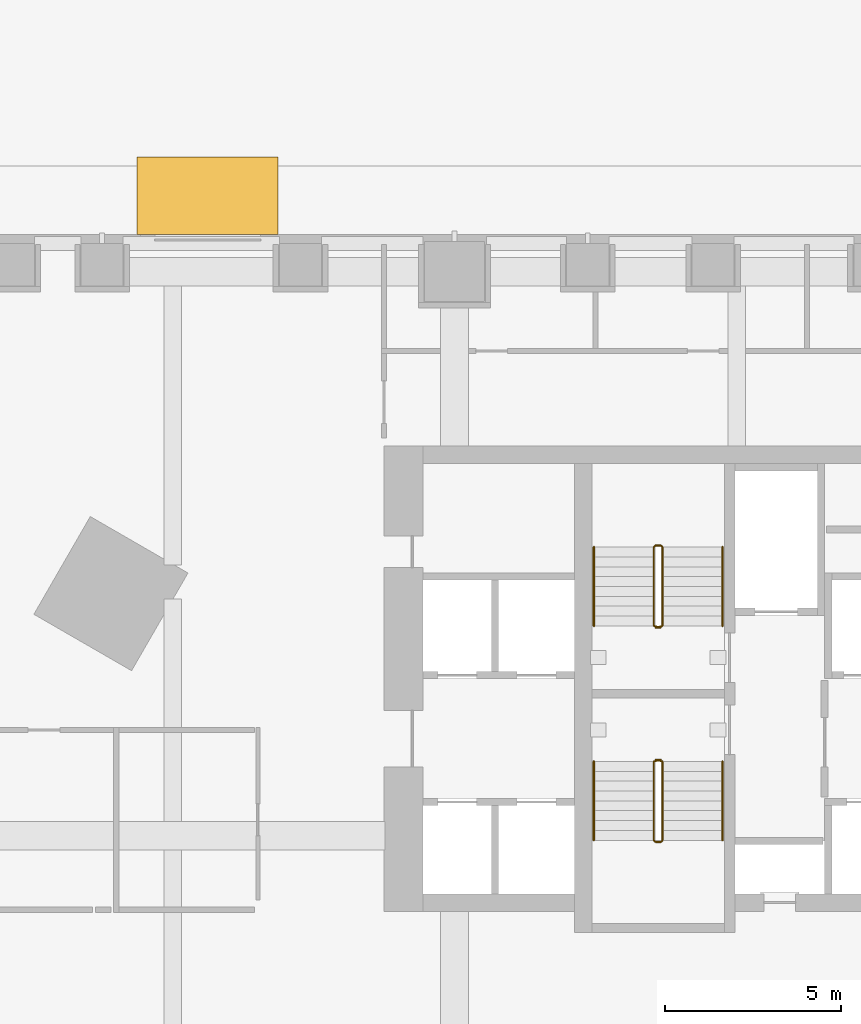
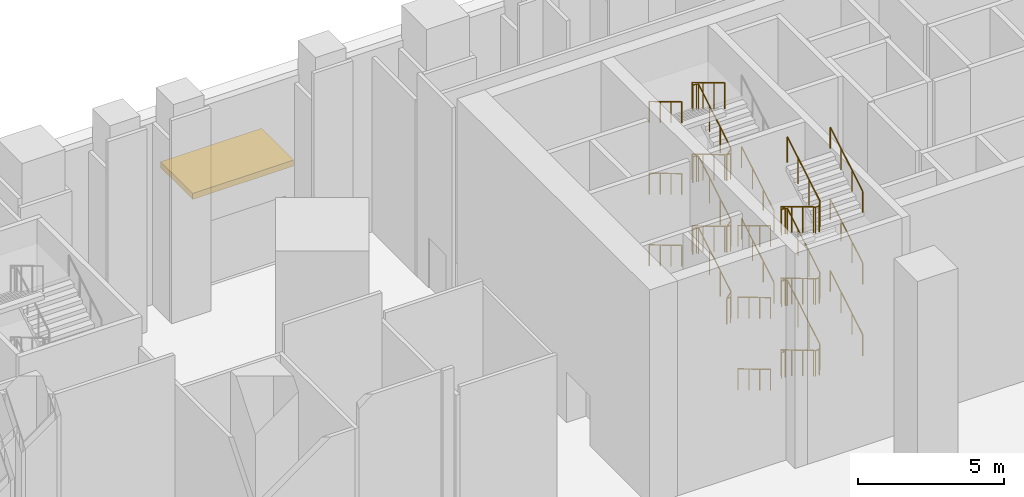
# One storey, part 46 of 51: 13 railings, 1 shading device.
"""IFC4 building model written with IfcOpenShell, lengths in metres."""

from ifc_helpers import new_model, si_unit, direction, frame, origin, origin_2d, place, context, subcontext, project, spatial, rectangle, circle, extrude, material, layer, layer_set, type_object, element, save


model = new_model("IFC4")

# Units and contexts
model_context = context("Model", 3, precision=1e-05, world=origin(), true_north=direction((0.0, 1.0)))
body_context = subcontext(model_context, "Body", "Model", "MODEL_VIEW")
ifc_project = project(units=[si_unit("LENGTHUNIT", "METRE"), si_unit("AREAUNIT", "SQUARE_METRE"), si_unit("VOLUMEUNIT", "CUBIC_METRE"), si_unit("PLANEANGLEUNIT", "RADIAN"), si_unit("MASSUNIT", "GRAM", prefix="KILO")], contexts=[model_context])

# Site, building, storey
site_placement = place(None, origin())
site = spatial("IfcSite", under=ifc_project, at=site_placement, CompositionType="ELEMENT")
building_placement = place(site_placement, origin())
building = spatial("IfcBuilding", under=site, at=building_placement, Name="Calabash Gate Tower", CompositionType="ELEMENT")
storey_placement = place(building_placement, origin())
storey = spatial("IfcBuildingStorey", under=building, at=storey_placement, Name="L00", CompositionType="ELEMENT", Elevation=0.0)

# Shading device
ifc_material_1 = material(Name="Steel framed canopy with laminated glass", Category="steel")
ifc_layer = layer(ifc_material_1, 0.25)
ifc_layer_set = layer_set([ifc_layer], Name="Entrance canopy 250")
shading_device_type = type_object("IfcShadingDeviceType", Name="Entrance canopy 250", PredefinedType="AWNING", material=ifc_layer_set)
shading_device_placement = place(storey_placement, frame((-23.00390625, 26.14990234375, 3.60009765625), z_axis=(0.0, 0.0, 1.0), x_axis=(-1.0, 0.0, 0.0)))
element("IfcShadingDevice", 1, at=shading_device_placement, inside=storey, type_object=shading_device_type, Name="Entrance canopy 18", PredefinedType="AWNING", context=body_context, shape_type="SweptSolid", body=[
    extrude(rectangle(XDim=4.0, YDim=2.199951171875, at=origin_2d()), origin(), (0.0, 0.0, 1.0), 0.25),
])

# Railings
ifc_material_2 = material(Name="Black powder-coated steel balusters", Category="steel")
railing_type_1 = type_object("IfcRailingType", Name="Stair guard RL1100", PredefinedType="GUARDRAIL", material=ifc_material_2)
railing_1_placement = place(storey_placement, frame((-10.14990234375, 13.902587890625, 0.0)))
element("IfcRailing", 2, at=railing_1_placement, inside=storey, type_object=railing_type_1, Name="L00 ST1 stair guard 1", PredefinedType="GUARDRAIL", context=body_context, shape_type="SweptSolid", body=[
    extrude(circle(Radius=0.02392578125, at=origin_2d()), frame((0.0, 0.0, 1.076171875), z_axis=(-1.0, 0.0, 0.0), x_axis=(0.0, -1.0, 0.0)), (0.0, 0.0, 1.0), 0.150146484375),
    extrude(circle(Radius=0.02392578125, at=origin_2d()), frame((-0.150146484375, 0.0, 1.076171875), z_axis=(0.754182335027, 0.188775798145, 0.628945707965), x_axis=(-0.242814311512, 0.970072785993, 0.0)), (0.0, 0.0, 1.0), 0.26513671875),
    extrude(circle(Radius=0.02392578125, at=origin_2d()), frame((0.0498046875, 0.050048828125, 1.24267578125), z_axis=(0.0, 0.858493888361, 0.512823793955), x_axis=(-1.0, 0.0, 0.0)), (0.0, 0.0, 1.0), 2.599853515625),
    extrude(circle(Radius=0.02392578125, at=origin_2d()), frame((0.0498046875, 2.281982421875, 2.576171875), z_axis=(-0.705375805398, 0.708833529934, 0.0), x_axis=(-0.708833529934, -0.705375805398, 0.0)), (0.0, 0.0, 1.0), 0.070556640625),
    extrude(circle(Radius=0.02392578125, at=origin_2d()), frame((0.0, 2.33203125, 2.576171875), z_axis=(-1.0, 0.0, 0.0), x_axis=(0.0, -1.0, 0.0)), (0.0, 0.0, 1.0), 0.150146484375),
    extrude(circle(Radius=0.02392578125, at=origin_2d()), frame((-0.150146484375, 2.33203125, 2.576171875), z_axis=(-0.27628659633, -0.27628659633, 0.920506074601), x_axis=(0.707106781187, -0.707106781187, 0.0)), (0.0, 0.0, 1.0), 0.18115234375),
    extrude(circle(Radius=0.02392578125, at=origin_2d()), frame((-0.2001953125, 2.281982421875, 2.74267578125), z_axis=(0.0, -0.858493888361, 0.512823793955), x_axis=(1.0, 0.0, 0.0)), (0.0, 0.0, 1.0), 2.599853515625),
    extrude(circle(Radius=0.02392578125, at=origin_2d()), frame((-0.2001953125, 0.050048828125, 4.076171875), z_axis=(0.970142500145, -0.242535625036, 0.0), x_axis=(0.242535625036, 0.970142500145, 0.0)), (0.0, 0.0, 1.0), 0.206298828125),
    extrude(circle(Radius=0.02392578125, at=origin_2d()), frame((0.0, 0.0, 4.076171875), z_axis=(-1.0, 0.0, 0.0), x_axis=(0.0, -1.0, 0.0)), (0.0, 0.0, 1.0), 0.150146484375),
    extrude(circle(Radius=0.02392578125, at=origin_2d()), frame((-0.150146484375, 0.0, 4.076171875), z_axis=(0.754182335027, 0.188775798145, 0.628945707965), x_axis=(-0.242814311512, 0.970072785993, 0.0)), (0.0, 0.0, 1.0), 0.26513671875),
    extrude(circle(Radius=0.02392578125, at=origin_2d()), frame((0.0498046875, 0.050048828125, 4.24267578125), z_axis=(0.0, 0.858493888361, 0.512823793955), x_axis=(-1.0, 0.0, 0.0)), (0.0, 0.0, 1.0), 2.599853515625),
    extrude(circle(Radius=0.02392578125, at=origin_2d()), frame((0.0498046875, 2.281982421875, 5.576171875), z_axis=(-0.705375805398, 0.708833529934, 0.0), x_axis=(-0.708833529934, -0.705375805398, 0.0)), (0.0, 0.0, 1.0), 0.070556640625),
    extrude(circle(Radius=0.02392578125, at=origin_2d()), frame((0.0, 2.33203125, 5.576171875), z_axis=(-1.0, 0.0, 0.0), x_axis=(0.0, -1.0, 0.0)), (0.0, 0.0, 1.0), 0.150146484375),
    extrude(circle(Radius=0.02392578125, at=origin_2d()), frame((-0.150146484375, 2.33203125, 5.576171875), z_axis=(-0.27628659633, -0.27628659633, 0.920506074601), x_axis=(0.707106781187, -0.707106781187, 0.0)), (0.0, 0.0, 1.0), 0.18115234375),
    extrude(circle(Radius=0.02392578125, at=origin_2d()), frame((-0.2001953125, 2.281982421875, 5.74267578125), z_axis=(0.0, -0.858493888361, 0.512823793955), x_axis=(1.0, 0.0, 0.0)), (0.0, 0.0, 1.0), 2.599853515625),
    extrude(circle(Radius=0.02392578125, at=origin_2d()), frame((-0.2001953125, 0.050048828125, 7.076171875), z_axis=(0.970142500145, -0.242535625036, 0.0), x_axis=(0.242535625036, 0.970142500145, 0.0)), (0.0, 0.0, 1.0), 0.206298828125),
    extrude(circle(Radius=0.02392578125, at=origin_2d()), frame((0.0, 0.0, 7.076171875), z_axis=(-1.0, 0.0, 0.0), x_axis=(0.0, -1.0, 0.0)), (0.0, 0.0, 1.0), 0.150146484375),
    extrude(circle(Radius=0.02392578125, at=origin_2d()), frame((-0.150146484375, 0.0, 7.076171875), z_axis=(0.754182335027, 0.188775798145, 0.628945707965), x_axis=(-0.242814311512, 0.970072785993, 0.0)), (0.0, 0.0, 1.0), 0.26513671875),
    extrude(circle(Radius=0.02392578125, at=origin_2d()), frame((0.0498046875, 0.050048828125, 7.24267578125), z_axis=(0.0, 0.858493888361, 0.512823793955), x_axis=(-1.0, 0.0, 0.0)), (0.0, 0.0, 1.0), 2.599853515625),
    extrude(circle(Radius=0.02392578125, at=origin_2d()), frame((0.0498046875, 2.281982421875, 8.576171875), z_axis=(-0.705375805398, 0.708833529934, 0.0), x_axis=(-0.708833529934, -0.705375805398, 0.0)), (0.0, 0.0, 1.0), 0.070556640625),
    extrude(circle(Radius=0.02392578125, at=origin_2d()), frame((0.0, 2.33203125, 8.576171875), z_axis=(-1.0, 0.0, 0.0), x_axis=(0.0, -1.0, 0.0)), (0.0, 0.0, 1.0), 0.150146484375),
    extrude(circle(Radius=0.02392578125, at=origin_2d()), frame((-0.150146484375, 2.33203125, 8.576171875), z_axis=(-0.27628659633, -0.27628659633, 0.920506074601), x_axis=(0.707106781187, -0.707106781187, 0.0)), (0.0, 0.0, 1.0), 0.18115234375),
    extrude(circle(Radius=0.02392578125, at=origin_2d()), frame((-0.2001953125, 2.281982421875, 8.74267578125), z_axis=(0.0, -0.858493888361, 0.512823793955), x_axis=(1.0, 0.0, 0.0)), (0.0, 0.0, 1.0), 2.599853515625),
    extrude(circle(Radius=0.02099609375, at=origin_2d()), origin(), (0.0, 0.0, 1.0), 1.052001953125),
    extrude(circle(Radius=0.02099609375, at=origin_2d()), frame((-0.150146484375, 0.0, 0.0)), (0.0, 0.0, 1.0), 1.052001953125),
    extrude(circle(Radius=0.02099609375, at=origin_2d()), frame((0.0498046875, 0.050048828125, 0.166748046875)), (0.0, 0.0, 1.0), 1.052001953125),
    extrude(circle(Radius=0.02099609375, at=origin_2d()), frame((0.0498046875, 0.7939453125, 0.611083984375)), (0.0, 0.0, 1.0), 1.052001953125),
    extrude(circle(Radius=0.02099609375, at=origin_2d()), frame((0.0498046875, 1.5380859375, 1.0556640625)), (0.0, 0.0, 1.0), 1.052001953125),
    extrude(circle(Radius=0.02099609375, at=origin_2d()), frame((0.0498046875, 2.281982421875, 1.5)), (0.0, 0.0, 1.0), 1.052001953125),
    extrude(circle(Radius=0.02099609375, at=origin_2d()), frame((0.0, 2.33203125, 1.5)), (0.0, 0.0, 1.0), 1.052001953125),
    extrude(circle(Radius=0.02099609375, at=origin_2d()), frame((-0.150146484375, 2.33203125, 1.5)), (0.0, 0.0, 1.0), 1.052001953125),
    extrude(circle(Radius=0.02099609375, at=origin_2d()), frame((-0.2001953125, 2.281982421875, 1.666748046875)), (0.0, 0.0, 1.0), 1.052001953125),
    extrude(circle(Radius=0.02099609375, at=origin_2d()), frame((-0.2001953125, 1.5380859375, 2.111083984375)), (0.0, 0.0, 1.0), 1.052001953125),
    extrude(circle(Radius=0.02099609375, at=origin_2d()), frame((-0.2001953125, 0.7939453125, 2.5556640625)), (0.0, 0.0, 1.0), 1.052001953125),
    extrude(circle(Radius=0.02099609375, at=origin_2d()), frame((-0.2001953125, 0.050048828125, 3.0)), (0.0, 0.0, 1.0), 1.052001953125),
    extrude(circle(Radius=0.02099609375, at=origin_2d()), frame((0.0, 0.0, 3.0)), (0.0, 0.0, 1.0), 1.052001953125),
    extrude(circle(Radius=0.02099609375, at=origin_2d()), frame((-0.150146484375, 0.0, 3.0)), (0.0, 0.0, 1.0), 1.052001953125),
    extrude(circle(Radius=0.02099609375, at=origin_2d()), frame((0.0498046875, 0.050048828125, 3.166748046875)), (0.0, 0.0, 1.0), 1.052001953125),
    extrude(circle(Radius=0.02099609375, at=origin_2d()), frame((0.0498046875, 0.7939453125, 3.611083984375)), (0.0, 0.0, 1.0), 1.052001953125),
    extrude(circle(Radius=0.02099609375, at=origin_2d()), frame((0.0498046875, 1.5380859375, 4.0556640625)), (0.0, 0.0, 1.0), 1.052001953125),
    extrude(circle(Radius=0.02099609375, at=origin_2d()), frame((0.0498046875, 2.281982421875, 4.5)), (0.0, 0.0, 1.0), 1.052001953125),
    extrude(circle(Radius=0.02099609375, at=origin_2d()), frame((0.0, 2.33203125, 4.5)), (0.0, 0.0, 1.0), 1.052001953125),
    extrude(circle(Radius=0.02099609375, at=origin_2d()), frame((-0.150146484375, 2.33203125, 4.5)), (0.0, 0.0, 1.0), 1.052001953125),
    extrude(circle(Radius=0.02099609375, at=origin_2d()), frame((-0.2001953125, 2.281982421875, 4.666748046875)), (0.0, 0.0, 1.0), 1.052001953125),
    extrude(circle(Radius=0.02099609375, at=origin_2d()), frame((-0.2001953125, 1.5380859375, 5.111083984375)), (0.0, 0.0, 1.0), 1.052001953125),
    extrude(circle(Radius=0.02099609375, at=origin_2d()), frame((-0.2001953125, 0.7939453125, 5.5556640625)), (0.0, 0.0, 1.0), 1.052001953125),
    extrude(circle(Radius=0.02099609375, at=origin_2d()), frame((-0.2001953125, 0.050048828125, 6.0)), (0.0, 0.0, 1.0), 1.052001953125),
    extrude(circle(Radius=0.02099609375, at=origin_2d()), frame((0.0, 0.0, 6.0)), (0.0, 0.0, 1.0), 1.052001953125),
    extrude(circle(Radius=0.02099609375, at=origin_2d()), frame((-0.150146484375, 0.0, 6.0)), (0.0, 0.0, 1.0), 1.052001953125),
    extrude(circle(Radius=0.02099609375, at=origin_2d()), frame((0.0498046875, 0.050048828125, 6.166748046875)), (0.0, 0.0, 1.0), 1.052001953125),
    extrude(circle(Radius=0.02099609375, at=origin_2d()), frame((0.0498046875, 0.7939453125, 6.611083984375)), (0.0, 0.0, 1.0), 1.052001953125),
    extrude(circle(Radius=0.02099609375, at=origin_2d()), frame((0.0498046875, 1.5380859375, 7.0556640625)), (0.0, 0.0, 1.0), 1.052001953125),
    extrude(circle(Radius=0.02099609375, at=origin_2d()), frame((0.0498046875, 2.281982421875, 7.5)), (0.0, 0.0, 1.0), 1.052001953125),
    extrude(circle(Radius=0.02099609375, at=origin_2d()), frame((0.0, 2.33203125, 7.5)), (0.0, 0.0, 1.0), 1.052001953125),
    extrude(circle(Radius=0.02099609375, at=origin_2d()), frame((-0.150146484375, 2.33203125, 7.5)), (0.0, 0.0, 1.0), 1.052001953125),
    extrude(circle(Radius=0.02099609375, at=origin_2d()), frame((-0.2001953125, 2.281982421875, 7.666748046875)), (0.0, 0.0, 1.0), 1.052001953125),
    extrude(circle(Radius=0.02099609375, at=origin_2d()), frame((-0.2001953125, 1.5380859375, 8.111083984375)), (0.0, 0.0, 1.0), 1.052001953125),
    extrude(circle(Radius=0.02099609375, at=origin_2d()), frame((-0.2001953125, 0.7939453125, 8.5556640625)), (0.0, 0.0, 1.0), 1.052001953125),
    extrude(circle(Radius=0.02099609375, at=origin_2d()), frame((-0.2001953125, 0.050048828125, 9.0)), (0.0, 0.0, 1.0), 1.052001953125),
])
railing_2_placement = place(storey_placement, frame((-10.300048828125, 10.152587890625, 0.0)))
element("IfcRailing", 3, at=railing_2_placement, inside=storey, type_object=railing_type_1, Name="L00 ST2 stair guard 1", PredefinedType="GUARDRAIL", context=body_context, shape_type="SweptSolid", body=[
    extrude(circle(Radius=0.02392578125, at=origin_2d()), frame((0.0, 0.0, 1.076171875), z_axis=(1.0, 0.0, 0.0), x_axis=(0.0, 1.0, 0.0)), (0.0, 0.0, 1.0), 0.150146484375),
    extrude(circle(Radius=0.02392578125, at=origin_2d()), frame((0.150146484375, 0.0, 1.076171875), z_axis=(-0.75457900375, -0.188644750937, 0.628509097026), x_axis=(0.242535625036, -0.970142500145, 0.0)), (0.0, 0.0, 1.0), 0.265380859375),
    extrude(circle(Radius=0.02392578125, at=origin_2d()), frame((-0.050048828125, -0.050048828125, 1.24267578125), z_axis=(0.0, -0.858493888361, 0.512823793955), x_axis=(1.0, 0.0, 0.0)), (0.0, 0.0, 1.0), 2.599853515625),
    extrude(circle(Radius=0.02392578125, at=origin_2d()), frame((-0.050048828125, -2.281982421875, 2.576171875), z_axis=(0.707106781187, -0.707106781187, 0.0), x_axis=(0.707106781187, 0.707106781187, 0.0)), (0.0, 0.0, 1.0), 0.07080078125),
    extrude(circle(Radius=0.02392578125, at=origin_2d()), frame((0.0, -2.33203125, 2.576171875), z_axis=(1.0, 0.0, 0.0), x_axis=(0.0, 1.0, 0.0)), (0.0, 0.0, 1.0), 0.150146484375),
    extrude(circle(Radius=0.02392578125, at=origin_2d()), frame((0.150146484375, -2.33203125, 2.576171875), z_axis=(0.275041040955, 0.276389281352, 0.920848191041), x_axis=(-0.708833529934, 0.705375805398, 0.0)), (0.0, 0.0, 1.0), 0.18115234375),
    extrude(circle(Radius=0.02392578125, at=origin_2d()), frame((0.199951171875, -2.281982421875, 2.74267578125), z_axis=(0.0, 0.858493888361, 0.512823793955), x_axis=(-1.0, 0.0, 0.0)), (0.0, 0.0, 1.0), 2.599853515625),
    extrude(circle(Radius=0.02392578125, at=origin_2d()), frame((0.199951171875, -0.050048828125, 4.076171875), z_axis=(-0.970072785993, 0.242814311512, 0.0), x_axis=(-0.242814311512, -0.970072785993, 0.0)), (0.0, 0.0, 1.0), 0.2060546875),
    extrude(circle(Radius=0.02392578125, at=origin_2d()), frame((0.0, 0.0, 4.076171875), z_axis=(1.0, 0.0, 0.0), x_axis=(0.0, 1.0, 0.0)), (0.0, 0.0, 1.0), 0.150146484375),
    extrude(circle(Radius=0.02392578125, at=origin_2d()), frame((0.150146484375, 0.0, 4.076171875), z_axis=(-0.75457900375, -0.188644750937, 0.628509097026), x_axis=(0.242535625036, -0.970142500145, 0.0)), (0.0, 0.0, 1.0), 0.265380859375),
    extrude(circle(Radius=0.02392578125, at=origin_2d()), frame((-0.050048828125, -0.050048828125, 4.24267578125), z_axis=(0.0, -0.858493888361, 0.512823793955), x_axis=(1.0, 0.0, 0.0)), (0.0, 0.0, 1.0), 2.599853515625),
    extrude(circle(Radius=0.02392578125, at=origin_2d()), frame((-0.050048828125, -2.281982421875, 5.576171875), z_axis=(0.707106781187, -0.707106781187, 0.0), x_axis=(0.707106781187, 0.707106781187, 0.0)), (0.0, 0.0, 1.0), 0.07080078125),
    extrude(circle(Radius=0.02392578125, at=origin_2d()), frame((0.0, -2.33203125, 5.576171875), z_axis=(1.0, 0.0, 0.0), x_axis=(0.0, 1.0, 0.0)), (0.0, 0.0, 1.0), 0.150146484375),
    extrude(circle(Radius=0.02392578125, at=origin_2d()), frame((0.150146484375, -2.33203125, 5.576171875), z_axis=(0.275041040955, 0.276389281352, 0.920848191041), x_axis=(-0.708833529934, 0.705375805398, 0.0)), (0.0, 0.0, 1.0), 0.18115234375),
    extrude(circle(Radius=0.02392578125, at=origin_2d()), frame((0.199951171875, -2.281982421875, 5.74267578125), z_axis=(0.0, 0.858493888361, 0.512823793955), x_axis=(-1.0, 0.0, 0.0)), (0.0, 0.0, 1.0), 2.599853515625),
    extrude(circle(Radius=0.02392578125, at=origin_2d()), frame((0.199951171875, -0.050048828125, 7.076171875), z_axis=(-0.970072785993, 0.242814311512, 0.0), x_axis=(-0.242814311512, -0.970072785993, 0.0)), (0.0, 0.0, 1.0), 0.2060546875),
    extrude(circle(Radius=0.02392578125, at=origin_2d()), frame((0.0, 0.0, 7.076171875), z_axis=(1.0, 0.0, 0.0), x_axis=(0.0, 1.0, 0.0)), (0.0, 0.0, 1.0), 0.150146484375),
    extrude(circle(Radius=0.02392578125, at=origin_2d()), frame((0.150146484375, 0.0, 7.076171875), z_axis=(-0.75457900375, -0.188644750937, 0.628509097026), x_axis=(0.242535625036, -0.970142500145, 0.0)), (0.0, 0.0, 1.0), 0.265380859375),
    extrude(circle(Radius=0.02392578125, at=origin_2d()), frame((-0.050048828125, -0.050048828125, 7.24267578125), z_axis=(0.0, -0.858493888361, 0.512823793955), x_axis=(1.0, 0.0, 0.0)), (0.0, 0.0, 1.0), 2.599853515625),
    extrude(circle(Radius=0.02392578125, at=origin_2d()), frame((-0.050048828125, -2.281982421875, 8.576171875), z_axis=(0.707106781187, -0.707106781187, 0.0), x_axis=(0.707106781187, 0.707106781187, 0.0)), (0.0, 0.0, 1.0), 0.07080078125),
    extrude(circle(Radius=0.02392578125, at=origin_2d()), frame((0.0, -2.33203125, 8.576171875), z_axis=(1.0, 0.0, 0.0), x_axis=(0.0, 1.0, 0.0)), (0.0, 0.0, 1.0), 0.150146484375),
    extrude(circle(Radius=0.02392578125, at=origin_2d()), frame((0.150146484375, -2.33203125, 8.576171875), z_axis=(0.275041040955, 0.276389281352, 0.920848191041), x_axis=(-0.708833529934, 0.705375805398, 0.0)), (0.0, 0.0, 1.0), 0.18115234375),
    extrude(circle(Radius=0.02392578125, at=origin_2d()), frame((0.199951171875, -2.281982421875, 8.74267578125), z_axis=(0.0, 0.858493888361, 0.512823793955), x_axis=(-1.0, 0.0, 0.0)), (0.0, 0.0, 1.0), 2.599853515625),
    extrude(circle(Radius=0.02099609375, at=origin_2d()), origin(), (0.0, 0.0, 1.0), 1.052001953125),
    extrude(circle(Radius=0.02099609375, at=origin_2d()), frame((0.150146484375, 0.0, 0.0)), (0.0, 0.0, 1.0), 1.052001953125),
    extrude(circle(Radius=0.02099609375, at=origin_2d()), frame((-0.050048828125, -0.050048828125, 0.166748046875)), (0.0, 0.0, 1.0), 1.052001953125),
    extrude(circle(Radius=0.02099609375, at=origin_2d()), frame((-0.050048828125, -0.7939453125, 0.611083984375)), (0.0, 0.0, 1.0), 1.052001953125),
    extrude(circle(Radius=0.02099609375, at=origin_2d()), frame((-0.050048828125, -1.5380859375, 1.0556640625)), (0.0, 0.0, 1.0), 1.052001953125),
    extrude(circle(Radius=0.02099609375, at=origin_2d()), frame((-0.050048828125, -2.281982421875, 1.5)), (0.0, 0.0, 1.0), 1.052001953125),
    extrude(circle(Radius=0.02099609375, at=origin_2d()), frame((0.0, -2.33203125, 1.5)), (0.0, 0.0, 1.0), 1.052001953125),
    extrude(circle(Radius=0.02099609375, at=origin_2d()), frame((0.150146484375, -2.33203125, 1.5)), (0.0, 0.0, 1.0), 1.052001953125),
    extrude(circle(Radius=0.02099609375, at=origin_2d()), frame((0.199951171875, -2.281982421875, 1.666748046875)), (0.0, 0.0, 1.0), 1.052001953125),
    extrude(circle(Radius=0.02099609375, at=origin_2d()), frame((0.199951171875, -1.5380859375, 2.111083984375)), (0.0, 0.0, 1.0), 1.052001953125),
    extrude(circle(Radius=0.02099609375, at=origin_2d()), frame((0.199951171875, -0.7939453125, 2.5556640625)), (0.0, 0.0, 1.0), 1.052001953125),
    extrude(circle(Radius=0.02099609375, at=origin_2d()), frame((0.199951171875, -0.050048828125, 3.0)), (0.0, 0.0, 1.0), 1.052001953125),
    extrude(circle(Radius=0.02099609375, at=origin_2d()), frame((0.0, 0.0, 3.0)), (0.0, 0.0, 1.0), 1.052001953125),
    extrude(circle(Radius=0.02099609375, at=origin_2d()), frame((0.150146484375, 0.0, 3.0)), (0.0, 0.0, 1.0), 1.052001953125),
    extrude(circle(Radius=0.02099609375, at=origin_2d()), frame((-0.050048828125, -0.050048828125, 3.166748046875)), (0.0, 0.0, 1.0), 1.052001953125),
    extrude(circle(Radius=0.02099609375, at=origin_2d()), frame((-0.050048828125, -0.7939453125, 3.611083984375)), (0.0, 0.0, 1.0), 1.052001953125),
    extrude(circle(Radius=0.02099609375, at=origin_2d()), frame((-0.050048828125, -1.5380859375, 4.0556640625)), (0.0, 0.0, 1.0), 1.052001953125),
    extrude(circle(Radius=0.02099609375, at=origin_2d()), frame((-0.050048828125, -2.281982421875, 4.5)), (0.0, 0.0, 1.0), 1.052001953125),
    extrude(circle(Radius=0.02099609375, at=origin_2d()), frame((0.0, -2.33203125, 4.5)), (0.0, 0.0, 1.0), 1.052001953125),
    extrude(circle(Radius=0.02099609375, at=origin_2d()), frame((0.150146484375, -2.33203125, 4.5)), (0.0, 0.0, 1.0), 1.052001953125),
    extrude(circle(Radius=0.02099609375, at=origin_2d()), frame((0.199951171875, -2.281982421875, 4.666748046875)), (0.0, 0.0, 1.0), 1.052001953125),
    extrude(circle(Radius=0.02099609375, at=origin_2d()), frame((0.199951171875, -1.5380859375, 5.111083984375)), (0.0, 0.0, 1.0), 1.052001953125),
    extrude(circle(Radius=0.02099609375, at=origin_2d()), frame((0.199951171875, -0.7939453125, 5.5556640625)), (0.0, 0.0, 1.0), 1.052001953125),
    extrude(circle(Radius=0.02099609375, at=origin_2d()), frame((0.199951171875, -0.050048828125, 6.0)), (0.0, 0.0, 1.0), 1.052001953125),
    extrude(circle(Radius=0.02099609375, at=origin_2d()), frame((0.0, 0.0, 6.0)), (0.0, 0.0, 1.0), 1.052001953125),
    extrude(circle(Radius=0.02099609375, at=origin_2d()), frame((0.150146484375, 0.0, 6.0)), (0.0, 0.0, 1.0), 1.052001953125),
    extrude(circle(Radius=0.02099609375, at=origin_2d()), frame((-0.050048828125, -0.050048828125, 6.166748046875)), (0.0, 0.0, 1.0), 1.052001953125),
    extrude(circle(Radius=0.02099609375, at=origin_2d()), frame((-0.050048828125, -0.7939453125, 6.611083984375)), (0.0, 0.0, 1.0), 1.052001953125),
    extrude(circle(Radius=0.02099609375, at=origin_2d()), frame((-0.050048828125, -1.5380859375, 7.0556640625)), (0.0, 0.0, 1.0), 1.052001953125),
    extrude(circle(Radius=0.02099609375, at=origin_2d()), frame((-0.050048828125, -2.281982421875, 7.5)), (0.0, 0.0, 1.0), 1.052001953125),
    extrude(circle(Radius=0.02099609375, at=origin_2d()), frame((0.0, -2.33203125, 7.5)), (0.0, 0.0, 1.0), 1.052001953125),
    extrude(circle(Radius=0.02099609375, at=origin_2d()), frame((0.150146484375, -2.33203125, 7.5)), (0.0, 0.0, 1.0), 1.052001953125),
    extrude(circle(Radius=0.02099609375, at=origin_2d()), frame((0.199951171875, -2.281982421875, 7.666748046875)), (0.0, 0.0, 1.0), 1.052001953125),
    extrude(circle(Radius=0.02099609375, at=origin_2d()), frame((0.199951171875, -1.5380859375, 8.111083984375)), (0.0, 0.0, 1.0), 1.052001953125),
    extrude(circle(Radius=0.02099609375, at=origin_2d()), frame((0.199951171875, -0.7939453125, 8.5556640625)), (0.0, 0.0, 1.0), 1.052001953125),
    extrude(circle(Radius=0.02099609375, at=origin_2d()), frame((0.199951171875, -0.050048828125, 9.0)), (0.0, 0.0, 1.0), 1.052001953125),
])
ifc_material_3 = material(Name="Black powder-coated steel tube 48 mm", Category="steel")
railing_type_2 = type_object("IfcRailingType", Name="Stair handrail RL900", PredefinedType="HANDRAIL", material=ifc_material_3)
railing_3_placement = place(storey_placement, frame((-8.39990234375, 13.95263671875, 0.166748046875)))
element("IfcRailing", 4, at=railing_3_placement, inside=storey, type_object=railing_type_2, Name="L00 ST1 stair handrail 1", PredefinedType="HANDRAIL", context=body_context, shape_type="SweptSolid", body=[
    extrude(circle(Radius=0.02392578125, at=origin_2d()), frame((0.0, 0.0, 0.8759765625), z_axis=(0.0, 0.858493888361, 0.512823793955), x_axis=(-1.0, 0.0, 0.0)), (0.0, 0.0, 1.0), 2.599853515625),
    extrude(circle(Radius=0.02099609375, at=origin_2d()), origin(), (0.0, 0.0, 1.0), 0.851806640625),
    extrude(circle(Radius=0.02099609375, at=origin_2d()), frame((0.0, 0.743896484375, 0.4443359375)), (0.0, 0.0, 1.0), 0.851806640625),
    extrude(circle(Radius=0.02099609375, at=origin_2d()), frame((0.0, 1.488037109375, 0.888916015625)), (0.0, 0.0, 1.0), 0.851806640625),
    extrude(circle(Radius=0.02099609375, at=origin_2d()), frame((0.0, 2.23193359375, 1.333251953125)), (0.0, 0.0, 1.0), 0.851806640625),
])
railing_4_placement = place(storey_placement, frame((-12.050048828125, 16.1845703125, 1.666748046875)))
element("IfcRailing", 5, at=railing_4_placement, inside=storey, type_object=railing_type_2, Name="L00 ST1 stair handrail 2", PredefinedType="HANDRAIL", context=body_context, shape_type="SweptSolid", body=[
    extrude(circle(Radius=0.02392578125, at=origin_2d()), frame((0.0, 0.0, 0.8759765625), z_axis=(0.0, -0.858493888361, 0.512823793955), x_axis=(1.0, 0.0, 0.0)), (0.0, 0.0, 1.0), 2.599853515625),
    extrude(circle(Radius=0.02099609375, at=origin_2d()), origin(), (0.0, 0.0, 1.0), 0.851806640625),
    extrude(circle(Radius=0.02099609375, at=origin_2d()), frame((0.0, -0.743896484375, 0.4443359375)), (0.0, 0.0, 1.0), 0.851806640625),
    extrude(circle(Radius=0.02099609375, at=origin_2d()), frame((0.0, -1.488037109375, 0.888916015625)), (0.0, 0.0, 1.0), 0.851806640625),
    extrude(circle(Radius=0.02099609375, at=origin_2d()), frame((0.0, -2.23193359375, 1.333251953125)), (0.0, 0.0, 1.0), 0.851806640625),
])
railing_5_placement = place(storey_placement, frame((-8.39990234375, 13.95263671875, 3.166748046875)))
element("IfcRailing", 6, at=railing_5_placement, inside=storey, type_object=railing_type_2, Name="L00 ST1 stair handrail 3", PredefinedType="HANDRAIL", context=body_context, shape_type="SweptSolid", body=[
    extrude(circle(Radius=0.02392578125, at=origin_2d()), frame((0.0, 0.0, 0.8759765625), z_axis=(0.0, 0.858493888361, 0.512823793955), x_axis=(-1.0, 0.0, 0.0)), (0.0, 0.0, 1.0), 2.599853515625),
    extrude(circle(Radius=0.02099609375, at=origin_2d()), origin(), (0.0, 0.0, 1.0), 0.851806640625),
    extrude(circle(Radius=0.02099609375, at=origin_2d()), frame((0.0, 0.743896484375, 0.4443359375)), (0.0, 0.0, 1.0), 0.851806640625),
    extrude(circle(Radius=0.02099609375, at=origin_2d()), frame((0.0, 1.488037109375, 0.888916015625)), (0.0, 0.0, 1.0), 0.851806640625),
    extrude(circle(Radius=0.02099609375, at=origin_2d()), frame((0.0, 2.23193359375, 1.333251953125)), (0.0, 0.0, 1.0), 0.851806640625),
])
for number, where, name in (
    (7, (-12.050048828125, 16.1845703125, 4.666748046875), "L00 ST1 stair handrail 4"),
    (8, (-12.050048828125, 16.1845703125, 7.666748046875), "L00 ST1 stair handrail 6"),
    (9, (-12.050048828125, 10.1025390625, 0.166748046875), "L00 ST2 stair handrail 1"),
):
    element("IfcRailing", number, at=place(storey_placement, frame(where)), inside=storey, type_object=railing_type_2, Name=name, PredefinedType="HANDRAIL", context=body_context, shape_type="SweptSolid", body=[
        extrude(circle(Radius=0.02392578125, at=origin_2d()), frame((0.0, 0.0, 0.8759765625), z_axis=(0.0, -0.858493888361, 0.512823793955), x_axis=(1.0, 0.0, 0.0)), (0.0, 0.0, 1.0), 2.599853515625),
        extrude(circle(Radius=0.02099609375, at=origin_2d()), origin(), (0.0, 0.0, 1.0), 0.851806640625),
        extrude(circle(Radius=0.02099609375, at=origin_2d()), frame((0.0, -0.743896484375, 0.4443359375)), (0.0, 0.0, 1.0), 0.851806640625),
        extrude(circle(Radius=0.02099609375, at=origin_2d()), frame((0.0, -1.488037109375, 0.888916015625)), (0.0, 0.0, 1.0), 0.851806640625),
        extrude(circle(Radius=0.02099609375, at=origin_2d()), frame((0.0, -2.23193359375, 1.333251953125)), (0.0, 0.0, 1.0), 0.851806640625),
    ])
railing_6_placement = place(storey_placement, frame((-8.39990234375, 7.87060546875, 1.666748046875)))
element("IfcRailing", 10, at=railing_6_placement, inside=storey, type_object=railing_type_2, Name="L00 ST2 stair handrail 2", PredefinedType="HANDRAIL", context=body_context, shape_type="SweptSolid", body=[
    extrude(circle(Radius=0.02392578125, at=origin_2d()), frame((0.0, 0.0, 0.8759765625), z_axis=(0.0, 0.858493888361, 0.512823793955), x_axis=(-1.0, 0.0, 0.0)), (0.0, 0.0, 1.0), 2.599853515625),
    extrude(circle(Radius=0.02099609375, at=origin_2d()), origin(), (0.0, 0.0, 1.0), 0.851806640625),
    extrude(circle(Radius=0.02099609375, at=origin_2d()), frame((0.0, 0.743896484375, 0.4443359375)), (0.0, 0.0, 1.0), 0.851806640625),
    extrude(circle(Radius=0.02099609375, at=origin_2d()), frame((0.0, 1.488037109375, 0.888916015625)), (0.0, 0.0, 1.0), 0.851806640625),
    extrude(circle(Radius=0.02099609375, at=origin_2d()), frame((0.0, 2.23193359375, 1.333251953125)), (0.0, 0.0, 1.0), 0.851806640625),
])
railing_7_placement = place(storey_placement, frame((-12.050048828125, 10.1025390625, 3.166748046875)))
element("IfcRailing", 11, at=railing_7_placement, inside=storey, type_object=railing_type_2, Name="L00 ST2 stair handrail 3", PredefinedType="HANDRAIL", context=body_context, shape_type="SweptSolid", body=[
    extrude(circle(Radius=0.02392578125, at=origin_2d()), frame((0.0, 0.0, 0.8759765625), z_axis=(0.0, -0.858493888361, 0.512823793955), x_axis=(1.0, 0.0, 0.0)), (0.0, 0.0, 1.0), 2.599853515625),
    extrude(circle(Radius=0.02099609375, at=origin_2d()), origin(), (0.0, 0.0, 1.0), 0.851806640625),
    extrude(circle(Radius=0.02099609375, at=origin_2d()), frame((0.0, -0.743896484375, 0.4443359375)), (0.0, 0.0, 1.0), 0.851806640625),
    extrude(circle(Radius=0.02099609375, at=origin_2d()), frame((0.0, -1.488037109375, 0.888916015625)), (0.0, 0.0, 1.0), 0.851806640625),
    extrude(circle(Radius=0.02099609375, at=origin_2d()), frame((0.0, -2.23193359375, 1.333251953125)), (0.0, 0.0, 1.0), 0.851806640625),
])
railing_8_placement = place(storey_placement, frame((-8.39990234375, 7.87060546875, 4.666748046875)))
element("IfcRailing", 12, at=railing_8_placement, inside=storey, type_object=railing_type_2, Name="L00 ST2 stair handrail 4", PredefinedType="HANDRAIL", context=body_context, shape_type="SweptSolid", body=[
    extrude(circle(Radius=0.02392578125, at=origin_2d()), frame((0.0, 0.0, 0.8759765625), z_axis=(0.0, 0.858493888361, 0.512823793955), x_axis=(-1.0, 0.0, 0.0)), (0.0, 0.0, 1.0), 2.599853515625),
    extrude(circle(Radius=0.02099609375, at=origin_2d()), origin(), (0.0, 0.0, 1.0), 0.851806640625),
    extrude(circle(Radius=0.02099609375, at=origin_2d()), frame((0.0, 0.743896484375, 0.4443359375)), (0.0, 0.0, 1.0), 0.851806640625),
    extrude(circle(Radius=0.02099609375, at=origin_2d()), frame((0.0, 1.488037109375, 0.888916015625)), (0.0, 0.0, 1.0), 0.851806640625),
    extrude(circle(Radius=0.02099609375, at=origin_2d()), frame((0.0, 2.23193359375, 1.333251953125)), (0.0, 0.0, 1.0), 0.851806640625),
])
railing_9_placement = place(storey_placement, frame((-12.050048828125, 10.1025390625, 6.166748046875)))
element("IfcRailing", 13, at=railing_9_placement, inside=storey, type_object=railing_type_2, Name="L00 ST2 stair handrail 5", PredefinedType="HANDRAIL", context=body_context, shape_type="SweptSolid", body=[
    extrude(circle(Radius=0.02392578125, at=origin_2d()), frame((0.0, 0.0, 0.8759765625), z_axis=(0.0, -0.858493888361, 0.512823793955), x_axis=(1.0, 0.0, 0.0)), (0.0, 0.0, 1.0), 2.599853515625),
    extrude(circle(Radius=0.02099609375, at=origin_2d()), origin(), (0.0, 0.0, 1.0), 0.851806640625),
    extrude(circle(Radius=0.02099609375, at=origin_2d()), frame((0.0, -0.743896484375, 0.4443359375)), (0.0, 0.0, 1.0), 0.851806640625),
    extrude(circle(Radius=0.02099609375, at=origin_2d()), frame((0.0, -1.488037109375, 0.888916015625)), (0.0, 0.0, 1.0), 0.851806640625),
    extrude(circle(Radius=0.02099609375, at=origin_2d()), frame((0.0, -2.23193359375, 1.333251953125)), (0.0, 0.0, 1.0), 0.851806640625),
])
railing_10_placement = place(storey_placement, frame((-8.39990234375, 7.87060546875, 7.666748046875)))
element("IfcRailing", 14, at=railing_10_placement, inside=storey, type_object=railing_type_2, Name="L00 ST2 stair handrail 6", PredefinedType="HANDRAIL", context=body_context, shape_type="SweptSolid", body=[
    extrude(circle(Radius=0.02392578125, at=origin_2d()), frame((0.0, 0.0, 0.8759765625), z_axis=(0.0, 0.858493888361, 0.512823793955), x_axis=(-1.0, 0.0, 0.0)), (0.0, 0.0, 1.0), 2.599853515625),
    extrude(circle(Radius=0.02099609375, at=origin_2d()), origin(), (0.0, 0.0, 1.0), 0.851806640625),
    extrude(circle(Radius=0.02099609375, at=origin_2d()), frame((0.0, 0.743896484375, 0.4443359375)), (0.0, 0.0, 1.0), 0.851806640625),
    extrude(circle(Radius=0.02099609375, at=origin_2d()), frame((0.0, 1.488037109375, 0.888916015625)), (0.0, 0.0, 1.0), 0.851806640625),
    extrude(circle(Radius=0.02099609375, at=origin_2d()), frame((0.0, 2.23193359375, 1.333251953125)), (0.0, 0.0, 1.0), 0.851806640625),
])

save(model, "model.ifc")
